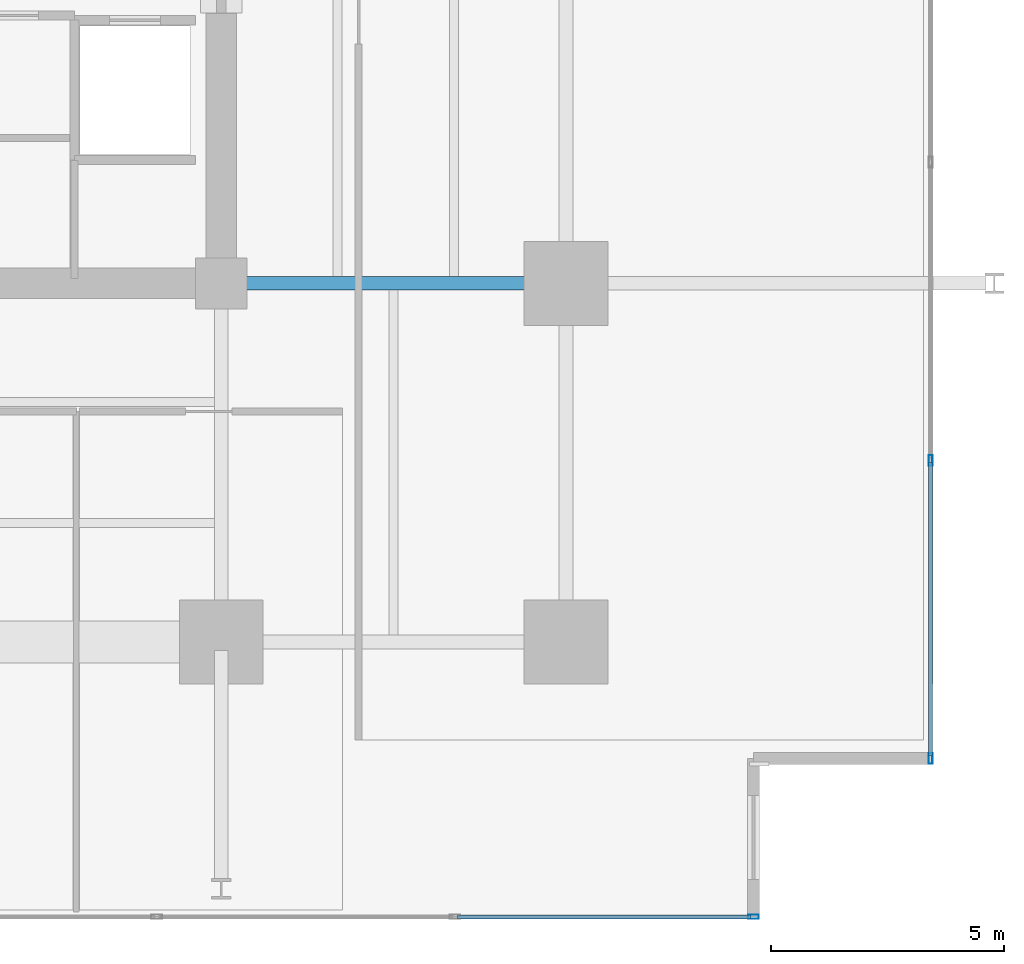
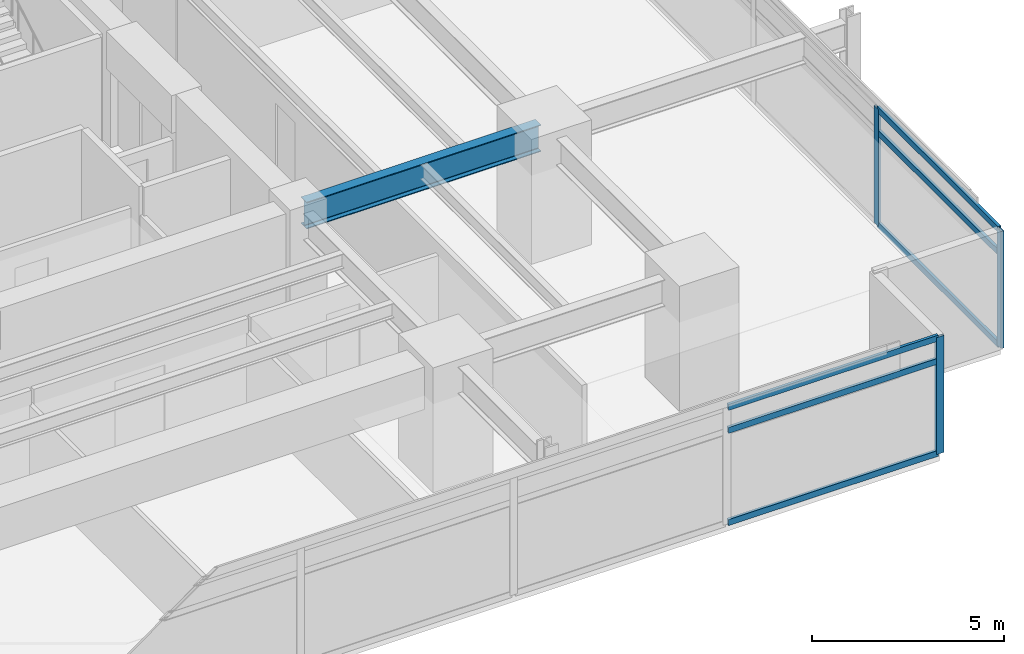
# One storey, part 7 of 22: 9 members, 1 beam, 2 elements without a shape of their own.
"""IFC4 building model written with IfcOpenShell, lengths in metres."""

from ifc_helpers import new_model, si_unit, direction, frame, origin, origin_2d, place, context, subcontext, project, spatial, hollow_rectangle, i_section, extrude, material, material_profile, profile_set, type_object, element, aggregate, save


model = new_model("IFC4")

# Units and contexts
model_context = context("Model", 3, precision=1e-05, world=origin(), true_north=direction((0.0, 1.0)))
body_context = subcontext(model_context, "Body", "Model", "MODEL_VIEW")
ifc_project = project(units=[si_unit("LENGTHUNIT", "METRE"), si_unit("AREAUNIT", "SQUARE_METRE"), si_unit("VOLUMEUNIT", "CUBIC_METRE"), si_unit("PLANEANGLEUNIT", "RADIAN"), si_unit("MASSUNIT", "GRAM", prefix="KILO")], contexts=[model_context])

# Site, building, storey
site_placement = place(None, origin())
site = spatial("IfcSite", under=ifc_project, at=site_placement, CompositionType="ELEMENT")
building_placement = place(site_placement, origin())
building = spatial("IfcBuilding", under=site, at=building_placement, Name="Kovane Verandah Tower", CompositionType="ELEMENT")
storey_placement = place(building_placement, frame((0.0, 0.0, 79.60009765625)))
storey = spatial("IfcBuildingStorey", under=building, at=storey_placement, Name="L18", CompositionType="ELEMENT", Elevation=79.60009765625)

# Beam
ifc_material_1 = material(Name="Steel S355", Category="steel")
ifc_material_profile_1 = material_profile(ifc_material_1, i_section(OverallWidth=0.293701171875, OverallDepth=0.850830078125, WebThickness=0.01611328125, FlangeThickness=0.02685546875, FilletRadius=0.017822265625, at=origin_2d()), Name="UB838x292x226")
ifc_profile_set_1 = profile_set([ifc_material_profile_1], Name="Steel S355")
beam_type = type_object("IfcBeamType", Name="BM-UB838x226", PredefinedType="BEAM", material=ifc_profile_set_1)
beam_placement = place(storey_placement, frame((51.179931640625, 18.5, 3.33447265625), z_axis=(1.0, 0.0, 0.0), x_axis=(0.0, 1.0, 0.0)))
element("IfcBeam", 1, at=beam_placement, inside=storey, type_object=beam_type, Name="L18 Primary Tower Girder G-E1", PredefinedType="BEAM", context=body_context, shape_type="SweptSolid", body=[
    extrude(i_section(OverallWidth=0.293701171875, OverallDepth=0.850830078125, WebThickness=0.01611328125, FlangeThickness=0.02685546875, FilletRadius=0.017822265625, at=origin_2d()), origin(), (0.0, 0.0, 1.0), 7.0400390625),
])

# Curtain wall, member
ifc_material_2 = material(Name="Champagne Anodised Aluminium Frame with Low-E Clear Laminated Glass", Category="aluminium")
curtain_wall_type = type_object("IfcCurtainWallType", Name="CW-SYS-02-LOW", PredefinedType="NOTDEFINED", material=ifc_material_2)
curtain_wall_1_placement = place(storey_placement, origin())
curtain_wall_1 = element("IfcCurtainWall", 2, at=curtain_wall_1_placement, inside=storey, type_object=curtain_wall_type, Name="L18 S Unitised Curtain Wall", PredefinedType="NOTDEFINED")
ifc_material_3 = material(Name="Champagne Anodised Aluminium 6063-T6", Category="aluminium")
ifc_material_profile_2 = material_profile(ifc_material_3, hollow_rectangle(XDim=0.0849609375, YDim=0.22998046875, WallThickness=0.00390625, at=origin_2d()), Name="AL85x230x4")
ifc_profile_set_2 = profile_set([ifc_material_profile_2], Name="Champagne Anodised Aluminium 6063-T6")
member_type_1 = type_object("IfcMemberType", Name="CW-MUL-85x230", PredefinedType="MULLION", material=ifc_profile_set_2)
member_1_placement = place(storey_placement, frame((62.4287109375, 4.89990234375, 0.02001953125), z_axis=(0.0, 0.0, 1.0), x_axis=(0.0, -1.0, 0.0)))
member_1 = element("IfcMember", 3, at=member_1_placement, type_object=member_type_1, Name="L18 S Unitised Curtain Wall Mullion 8", PredefinedType="MULLION", context=body_context, shape_type="SweptSolid", body=[
    extrude(hollow_rectangle(XDim=0.0849609375, YDim=0.22998046875, WallThickness=0.00390625, at=origin_2d()), origin(), (0.0, 0.0, 1.0), 3.719970703125),
])

# Curtain wall, members
curtain_wall_2_placement = place(storey_placement, origin())
curtain_wall_2 = element("IfcCurtainWall", 4, at=curtain_wall_2_placement, inside=storey, type_object=curtain_wall_type, Name="L18 E Unitised Curtain Wall", PredefinedType="NOTDEFINED")
member_2_placement = place(storey_placement, frame((66.228759765625, 8.2998046875, 0.02001953125), z_axis=(0.0, 0.0, 1.0), x_axis=(1.0, 0.0, 0.0)))
member_2 = element("IfcMember", 5, at=member_2_placement, type_object=member_type_1, Name="L18 E Unitised Curtain Wall Mullion 1", PredefinedType="MULLION", context=body_context, shape_type="SweptSolid", body=[
    extrude(hollow_rectangle(XDim=0.0849609375, YDim=0.22998046875, WallThickness=0.00390625, at=origin_2d()), origin(), (0.0, 0.0, 1.0), 3.719970703125),
])
member_3_placement = place(storey_placement, frame((66.228759765625, 14.699951171875, 0.02001953125), z_axis=(0.0, 0.0, 1.0), x_axis=(1.0, 0.0, 0.0)))
member_3 = element("IfcMember", 6, at=member_3_placement, type_object=member_type_1, Name="L18 E Unitised Curtain Wall Mullion 2", PredefinedType="MULLION", context=body_context, shape_type="SweptSolid", body=[
    extrude(hollow_rectangle(XDim=0.0849609375, YDim=0.22998046875, WallThickness=0.00390625, at=origin_2d()), origin(), (0.0, 0.0, 1.0), 3.719970703125),
])

# Member
ifc_material_profile_3 = material_profile(ifc_material_3, hollow_rectangle(XDim=0.0849609375, YDim=0.18994140625, WallThickness=0.00390625, at=origin_2d()), Name="AL85x190x4")
ifc_profile_set_3 = profile_set([ifc_material_profile_3], Name="Champagne Anodised Aluminium 6063-T6")
member_type_2 = type_object("IfcMemberType", Name="CW-TRN-85x190", PredefinedType="USERDEFINED", material=ifc_profile_set_3)
member_4_placement = place(storey_placement, frame((56.070556640625, 4.89990234375, 0.0498046875), z_axis=(1.0, 0.0, 0.0), x_axis=(0.0, 1.0, 0.0)))
member_4 = element("IfcMember", 7, at=member_4_placement, type_object=member_type_2, Name="L18 S Unitised Curtain Wall Transom TB Bay 7", ObjectType="TRANSOM", PredefinedType="USERDEFINED", context=body_context, shape_type="SweptSolid", body=[
    extrude(hollow_rectangle(XDim=0.0849609375, YDim=0.18994140625, WallThickness=0.00390625, at=origin_2d()), origin(), (0.0, 0.0, 1.0), 6.30810546875),
])

member_5_placement = place(storey_placement, frame((56.070556640625, 4.89990234375, 2.97998046875), z_axis=(1.0, 0.0, 0.0), x_axis=(0.0, 1.0, 0.0)))
member_5 = element("IfcMember", 8, at=member_5_placement, type_object=member_type_2, Name="L18 S Unitised Curtain Wall Transom TM Bay 7", ObjectType="TRANSOM", PredefinedType="USERDEFINED", context=body_context, shape_type="SweptSolid", body=[
    extrude(hollow_rectangle(XDim=0.0849609375, YDim=0.18994140625, WallThickness=0.00390625, at=origin_2d()), origin(), (0.0, 0.0, 1.0), 6.30810546875),
])

member_6_placement = place(storey_placement, frame((56.070556640625, 4.89990234375, 3.7099609375), z_axis=(1.0, 0.0, 0.0), x_axis=(0.0, 1.0, 0.0)))
member_6 = element("IfcMember", 9, at=member_6_placement, type_object=member_type_2, Name="L18 S Unitised Curtain Wall Transom TT Bay 7", ObjectType="TRANSOM", PredefinedType="USERDEFINED", context=body_context, shape_type="SweptSolid", body=[
    extrude(hollow_rectangle(XDim=0.0849609375, YDim=0.18994140625, WallThickness=0.00390625, at=origin_2d()), origin(), (0.0, 0.0, 1.0), 6.30810546875),
])

aggregate(curtain_wall_1, [member_1, member_4, member_5, member_6])

member_7_placement = place(storey_placement, frame((66.228759765625, 8.349853515625, 0.0498046875), z_axis=(0.0, 1.0, 0.0), x_axis=(-1.0, 0.0, 0.0)))
member_7 = element("IfcMember", 10, at=member_7_placement, type_object=member_type_2, Name="L18 E Unitised Curtain Wall Transom TB Bay 1", ObjectType="TRANSOM", PredefinedType="USERDEFINED", context=body_context, shape_type="SweptSolid", body=[
    extrude(hollow_rectangle(XDim=0.0849609375, YDim=0.18994140625, WallThickness=0.00390625, at=origin_2d()), origin(), (0.0, 0.0, 1.0), 6.300048828125),
])

member_8_placement = place(storey_placement, frame((66.228759765625, 8.349853515625, 2.97998046875), z_axis=(0.0, 1.0, 0.0), x_axis=(-1.0, 0.0, 0.0)))
member_8 = element("IfcMember", 11, at=member_8_placement, type_object=member_type_2, Name="L18 E Unitised Curtain Wall Transom TM Bay 1", ObjectType="TRANSOM", PredefinedType="USERDEFINED", context=body_context, shape_type="SweptSolid", body=[
    extrude(hollow_rectangle(XDim=0.0849609375, YDim=0.18994140625, WallThickness=0.00390625, at=origin_2d()), origin(), (0.0, 0.0, 1.0), 6.300048828125),
])

member_9_placement = place(storey_placement, frame((66.228759765625, 8.349853515625, 3.7099609375), z_axis=(0.0, 1.0, 0.0), x_axis=(-1.0, 0.0, 0.0)))
member_9 = element("IfcMember", 12, at=member_9_placement, type_object=member_type_2, Name="L18 E Unitised Curtain Wall Transom TT Bay 1", ObjectType="TRANSOM", PredefinedType="USERDEFINED", context=body_context, shape_type="SweptSolid", body=[
    extrude(hollow_rectangle(XDim=0.0849609375, YDim=0.18994140625, WallThickness=0.00390625, at=origin_2d()), origin(), (0.0, 0.0, 1.0), 6.300048828125),
])

aggregate(curtain_wall_2, [member_2, member_3, member_7, member_8, member_9])

save(model, "model.ifc")
